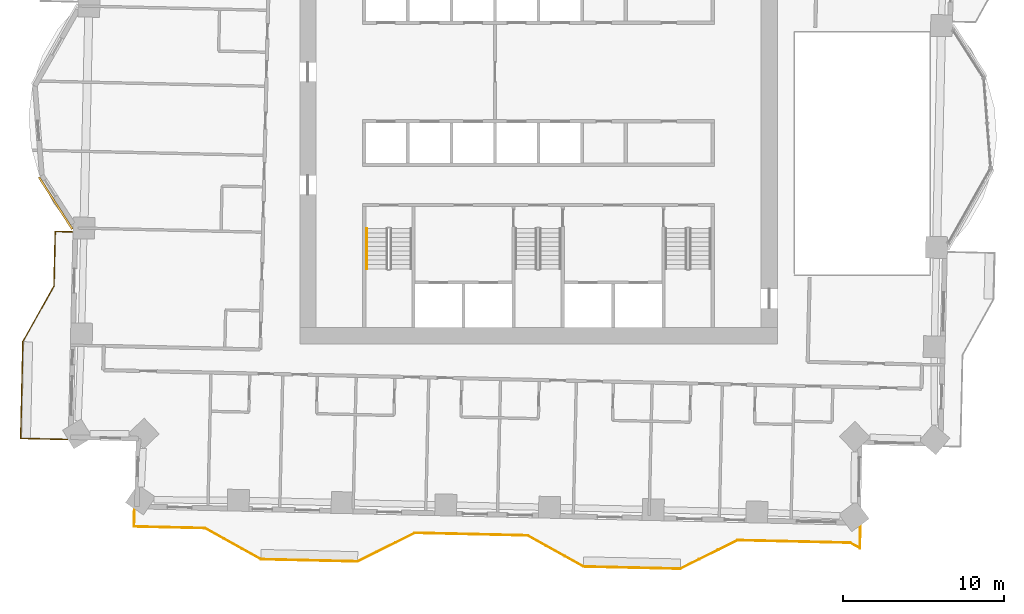
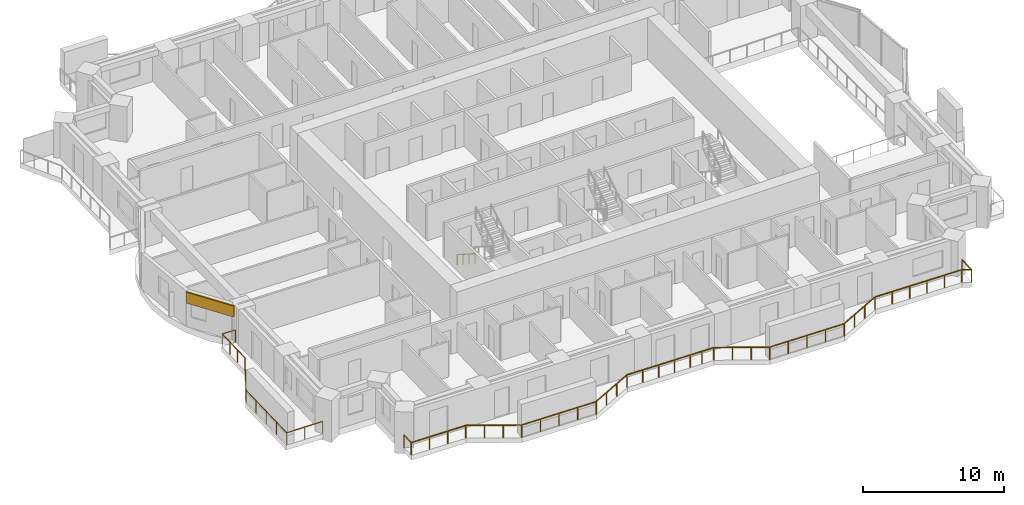
# One storey, part 13 of 16: 3 railings, 1 covering.
"""IFC4 building model written with IfcOpenShell, lengths in metres."""

from ifc_helpers import new_model, si_unit, direction, frame, frame_2d, origin, origin_2d, place, context, subcontext, project, spatial, rectangle, circle, extrude, material, layer, layer_set, type_object, element, save


model = new_model("IFC4")

# Units and contexts
model_context = context("Model", 3, precision=1e-05, world=origin(), true_north=direction((0.0, 1.0)))
body_context = subcontext(model_context, "Body", "Model", "MODEL_VIEW")
ifc_project = project(units=[si_unit("LENGTHUNIT", "METRE"), si_unit("AREAUNIT", "SQUARE_METRE"), si_unit("VOLUMEUNIT", "CUBIC_METRE"), si_unit("PLANEANGLEUNIT", "RADIAN"), si_unit("MASSUNIT", "GRAM", prefix="KILO")], contexts=[model_context])

# Site, building, storey
site_placement = place(None, origin())
site = spatial("IfcSite", under=ifc_project, at=site_placement, CompositionType="ELEMENT")
building_placement = place(site_placement, origin())
building = spatial("IfcBuilding", under=site, at=building_placement, Name="Mangrove Gate Tower", CompositionType="ELEMENT")
storey_placement = place(building_placement, frame((0.0, 0.0, 112.699951171875)))
storey = spatial("IfcBuildingStorey", under=building, at=storey_placement, Name="L28", CompositionType="ELEMENT", Elevation=112.699951171875)

# Railings
ifc_material_1 = material(Name="Stainless steel grade 316 with laminated glass infill", Category="steel")
railing_type_1 = type_object("IfcRailingType", Name="Balcony guard 1100", PredefinedType="GUARDRAIL", material=ifc_material_1)
railing_1_placement = place(storey_placement, frame((-28.89892578125, -4.85791015625, 0.0)))
element("IfcRailing", 1, at=railing_1_placement, inside=storey, type_object=railing_type_1, Name="GUARD L28 W2", PredefinedType="GUARDRAIL", context=body_context, shape_type="SweptSolid", body=[
    extrude(rectangle(XDim=0.048095703125, YDim=0.048095703125, at=origin_2d()), frame((0.0, 0.0, 1.076171875), z_axis=(-0.999744919731, 0.022585293253, 0.0), x_axis=(-0.022585293253, -0.999744919731, 0.0)), (0.0, 0.0, 1.0), 1.059326171875),
    extrude(rectangle(XDim=0.048095703125, YDim=0.048095703125, at=origin_2d()), frame((-1.05908203125, 0.02392578125, 1.076171875), z_axis=(-0.02278713509, -0.999740339525, 0.0), x_axis=(0.999740339525, -0.02278713509, 0.0)), (0.0, 0.0, 1.0), 3.375),
    extrude(rectangle(XDim=0.048095703125, YDim=0.048095703125, at=origin_2d()), frame((-1.135986328125, -3.35009765625, 1.076171875), z_axis=(-0.487307108654, -0.873230657876, 0.0), x_axis=(0.873230657876, -0.487307108654, 0.0)), (0.0, 0.0, 1.0), 3.958984375),
    extrude(rectangle(XDim=0.048095703125, YDim=0.048095703125, at=origin_2d()), frame((-3.065185546875, -6.80712890625, 1.076171875), z_axis=(-0.022665943652, -0.999743094499, 0.0), x_axis=(0.999743094499, -0.022665943652, 0.0)), (0.0, 0.0, 1.0), 5.99951171875),
    extrude(rectangle(XDim=0.048095703125, YDim=0.048095703125, at=origin_2d()), frame((-3.201171875, -12.80517578125, 1.076171875), z_axis=(0.999743392495, -0.022652795902, 0.0), x_axis=(0.022652795902, 0.999743392495, 0.0)), (0.0, 0.0, 1.0), 2.909912109375),
    extrude(rectangle(XDim=0.0419921875, YDim=0.0419921875, at=origin_2d()), origin(), (0.0, 0.0, 1.0), 1.052001953125),
    extrude(rectangle(XDim=0.0419921875, YDim=0.0419921875, at=origin_2d()), frame((-1.05908203125, 0.02392578125, 0.0)), (0.0, 0.0, 1.0), 1.052001953125),
    extrude(rectangle(XDim=0.0419921875, YDim=0.0419921875, at=origin_2d()), frame((-1.084716796875, -1.100830078125, 0.0)), (0.0, 0.0, 1.0), 1.052001953125),
    extrude(rectangle(XDim=0.0419921875, YDim=0.0419921875, at=origin_2d()), frame((-1.1103515625, -2.225341796875, 0.0)), (0.0, 0.0, 1.0), 1.052001953125),
    extrude(rectangle(XDim=0.0419921875, YDim=0.0419921875, at=origin_2d()), frame((-1.135986328125, -3.35009765625, 0.0)), (0.0, 0.0, 1.0), 1.052001953125),
    extrude(rectangle(XDim=0.0419921875, YDim=0.0419921875, at=origin_2d()), frame((-1.779052734375, -4.50244140625, 0.0)), (0.0, 0.0, 1.0), 1.052001953125),
    extrude(rectangle(XDim=0.0419921875, YDim=0.0419921875, at=origin_2d()), frame((-2.422119140625, -5.65478515625, 0.0)), (0.0, 0.0, 1.0), 1.052001953125),
    extrude(rectangle(XDim=0.0419921875, YDim=0.0419921875, at=origin_2d()), frame((-3.065185546875, -6.80712890625, 0.0)), (0.0, 0.0, 1.0), 1.052001953125),
    extrude(rectangle(XDim=0.0419921875, YDim=0.0419921875, at=origin_2d()), frame((-3.09912109375, -8.306640625, 0.0)), (0.0, 0.0, 1.0), 1.052001953125),
    extrude(rectangle(XDim=0.0419921875, YDim=0.0419921875, at=origin_2d()), frame((-3.13330078125, -9.80615234375, 0.0)), (0.0, 0.0, 1.0), 1.052001953125),
    extrude(rectangle(XDim=0.0419921875, YDim=0.0419921875, at=origin_2d()), frame((-3.167236328125, -11.3056640625, 0.0)), (0.0, 0.0, 1.0), 1.052001953125),
    extrude(rectangle(XDim=0.0419921875, YDim=0.0419921875, at=origin_2d()), frame((-3.201171875, -12.80517578125, 0.0)), (0.0, 0.0, 1.0), 1.052001953125),
    extrude(rectangle(XDim=0.0419921875, YDim=0.0419921875, at=origin_2d()), frame((-1.74658203125, -12.838134765625, 0.0)), (0.0, 0.0, 1.0), 1.052001953125),
    extrude(rectangle(XDim=0.0419921875, YDim=0.0419921875, at=origin_2d()), frame((-0.2919921875, -12.87109375, 0.0)), (0.0, 0.0, 1.0), 1.052001953125),
])
railing_2_placement = place(storey_placement, frame((-25.048095703125, -22.06396484375, 0.0)))
element("IfcRailing", 2, at=railing_2_placement, inside=storey, type_object=railing_type_1, Name="GUARD L28 S1", PredefinedType="GUARDRAIL", context=body_context, shape_type="SweptSolid", body=[
    extrude(rectangle(XDim=0.048095703125, YDim=0.048095703125, at=origin_2d()), frame((0.0, 0.0, 1.076171875), z_axis=(-0.022564497502, -0.999745389313, 0.0), x_axis=(0.999745389313, -0.022564497502, 0.0)), (0.0, 0.0, 1.0), 1.060302734375),
    extrude(rectangle(XDim=0.048095703125, YDim=0.048095703125, at=origin_2d()), frame((-0.02392578125, -1.06005859375, 1.076171875), z_axis=(0.999741692434, -0.022727701353, 0.0), x_axis=(0.022727701353, 0.999741692434, 0.0)), (0.0, 0.0, 1.0), 4.404296875),
    extrude(rectangle(XDim=0.048095703125, YDim=0.048095703125, at=origin_2d()), frame((4.379150390625, -1.16015625, 1.076171875), z_axis=(0.87325689943, -0.48726008209, 0.0), x_axis=(0.48726008209, 0.87325689943, 0.0)), (0.0, 0.0, 1.0), 3.958740234375),
    extrude(rectangle(XDim=0.048095703125, YDim=0.048095703125, at=origin_2d()), frame((7.836181640625, -3.089111328125, 1.076171875), z_axis=(0.999743073592, -0.022666865795, 0.0), x_axis=(0.022666865795, 0.999743073592, 0.0)), (0.0, 0.0, 1.0), 5.999267578125),
    extrude(rectangle(XDim=0.048095703125, YDim=0.048095703125, at=origin_2d()), frame((13.833984375, -3.22509765625, 1.076171875), z_axis=(0.894525821107, 0.447016280881, 0.0), x_axis=(-0.447016280881, 0.894525821107, 0.0)), (0.0, 0.0, 1.0), 3.959716796875),
    extrude(rectangle(XDim=0.048095703125, YDim=0.048095703125, at=origin_2d()), frame((17.3759765625, -1.455078125, 1.076171875), z_axis=(0.999745725993, -0.022549575565, 0.0), x_axis=(0.022549575565, 0.999745725993, 0.0)), (0.0, 0.0, 1.0), 5.099365234375),
    extrude(rectangle(XDim=0.048095703125, YDim=0.048095703125, at=origin_2d()), frame((22.47412109375, -1.570068359375, 1.076171875), z_axis=(0.999732601886, -0.023124115695, 0.0), x_axis=(0.023124115695, 0.999732601886, 0.0)), (0.0, 0.0, 1.0), 1.900390625),
    extrude(rectangle(XDim=0.048095703125, YDim=0.048095703125, at=origin_2d()), frame((24.3740234375, -1.614013671875, 1.076171875), z_axis=(0.873361856081, -0.487071933437, 0.0), x_axis=(0.487071933437, 0.873361856081, 0.0)), (0.0, 0.0, 1.0), 3.958251953125),
    extrude(rectangle(XDim=0.048095703125, YDim=0.048095703125, at=origin_2d()), frame((27.8310546875, -3.5419921875, 1.076171875), z_axis=(0.999739392852, -0.022828630714, 0.0), x_axis=(0.022828630714, 0.999739392852, 0.0)), (0.0, 0.0, 1.0), 5.99951171875),
    extrude(rectangle(XDim=0.048095703125, YDim=0.048095703125, at=origin_2d()), frame((33.8291015625, -3.678955078125, 1.076171875), z_axis=(0.894377854182, 0.447312255532, 0.0), x_axis=(-0.447312255532, 0.894377854182, 0.0)), (0.0, 0.0, 1.0), 3.959228515625),
    extrude(rectangle(XDim=0.048095703125, YDim=0.048095703125, at=origin_2d()), frame((37.3701171875, -1.907958984375, 1.076171875), z_axis=(0.999741475346, -0.022737248567, 0.0), x_axis=(0.022737248567, 0.999741475346, 0.0)), (0.0, 0.0, 1.0), 7.000732421875),
    extrude(rectangle(XDim=0.048095703125, YDim=0.048095703125, at=origin_2d()), frame((44.369140625, -2.067138671875, 1.076171875), z_axis=(0.872956919177, -0.487797311658, 0.0), x_axis=(0.487797311658, 0.872956919177, 0.0)), (0.0, 0.0, 1.0), 0.6826171875),
    extrude(rectangle(XDim=0.048095703125, YDim=0.048095703125, at=origin_2d()), frame((44.965087890625, -2.400146484375, 1.076171875), z_axis=(0.022476175804, 0.999747378852, 0.0), x_axis=(-0.999747378852, 0.022476175804, 0.0)), (0.0, 0.0, 1.0), 1.37939453125),
    extrude(rectangle(XDim=0.0419921875, YDim=0.0419921875, at=origin_2d()), origin(), (0.0, 0.0, 1.0), 1.052001953125),
    extrude(rectangle(XDim=0.0419921875, YDim=0.0419921875, at=origin_2d()), frame((-0.02392578125, -1.06005859375, 0.0)), (0.0, 0.0, 1.0), 1.052001953125),
    extrude(rectangle(XDim=0.0419921875, YDim=0.0419921875, at=origin_2d()), frame((1.44384765625, -1.093505859375, 0.0)), (0.0, 0.0, 1.0), 1.052001953125),
    extrude(rectangle(XDim=0.0419921875, YDim=0.0419921875, at=origin_2d()), frame((2.911376953125, -1.126708984375, 0.0)), (0.0, 0.0, 1.0), 1.052001953125),
    extrude(rectangle(XDim=0.0419921875, YDim=0.0419921875, at=origin_2d()), frame((4.379150390625, -1.16015625, 0.0)), (0.0, 0.0, 1.0), 1.052001953125),
    extrude(rectangle(XDim=0.0419921875, YDim=0.0419921875, at=origin_2d()), frame((5.531494140625, -1.80322265625, 0.0)), (0.0, 0.0, 1.0), 1.052001953125),
    extrude(rectangle(XDim=0.0419921875, YDim=0.0419921875, at=origin_2d()), frame((6.683837890625, -2.446044921875, 0.0)), (0.0, 0.0, 1.0), 1.052001953125),
    extrude(rectangle(XDim=0.0419921875, YDim=0.0419921875, at=origin_2d()), frame((7.836181640625, -3.089111328125, 0.0)), (0.0, 0.0, 1.0), 1.052001953125),
    extrude(rectangle(XDim=0.0419921875, YDim=0.0419921875, at=origin_2d()), frame((9.335693359375, -3.123046875, 0.0)), (0.0, 0.0, 1.0), 1.052001953125),
    extrude(rectangle(XDim=0.0419921875, YDim=0.0419921875, at=origin_2d()), frame((10.8349609375, -3.1572265625, 0.0)), (0.0, 0.0, 1.0), 1.052001953125),
    extrude(rectangle(XDim=0.0419921875, YDim=0.0419921875, at=origin_2d()), frame((12.33447265625, -3.191162109375, 0.0)), (0.0, 0.0, 1.0), 1.052001953125),
    extrude(rectangle(XDim=0.0419921875, YDim=0.0419921875, at=origin_2d()), frame((13.833984375, -3.22509765625, 0.0)), (0.0, 0.0, 1.0), 1.052001953125),
    extrude(rectangle(XDim=0.0419921875, YDim=0.0419921875, at=origin_2d()), frame((15.0146484375, -2.635009765625, 0.0)), (0.0, 0.0, 1.0), 1.052001953125),
    extrude(rectangle(XDim=0.0419921875, YDim=0.0419921875, at=origin_2d()), frame((16.1953125, -2.045166015625, 0.0)), (0.0, 0.0, 1.0), 1.052001953125),
    extrude(rectangle(XDim=0.0419921875, YDim=0.0419921875, at=origin_2d()), frame((17.3759765625, -1.455078125, 0.0)), (0.0, 0.0, 1.0), 1.052001953125),
    extrude(rectangle(XDim=0.0419921875, YDim=0.0419921875, at=origin_2d()), frame((18.650390625, -1.48388671875, 0.0)), (0.0, 0.0, 1.0), 1.052001953125),
    extrude(rectangle(XDim=0.0419921875, YDim=0.0419921875, at=origin_2d()), frame((19.925048828125, -1.5126953125, 0.0)), (0.0, 0.0, 1.0), 1.052001953125),
    extrude(rectangle(XDim=0.0419921875, YDim=0.0419921875, at=origin_2d()), frame((21.19970703125, -1.541259765625, 0.0)), (0.0, 0.0, 1.0), 1.052001953125),
    extrude(rectangle(XDim=0.0419921875, YDim=0.0419921875, at=origin_2d()), frame((22.47412109375, -1.570068359375, 0.0)), (0.0, 0.0, 1.0), 1.052001953125),
    extrude(rectangle(XDim=0.0419921875, YDim=0.0419921875, at=origin_2d()), frame((23.424072265625, -1.592041015625, 0.0)), (0.0, 0.0, 1.0), 1.052001953125),
    extrude(rectangle(XDim=0.0419921875, YDim=0.0419921875, at=origin_2d()), frame((24.3740234375, -1.614013671875, 0.0)), (0.0, 0.0, 1.0), 1.052001953125),
    extrude(rectangle(XDim=0.0419921875, YDim=0.0419921875, at=origin_2d()), frame((25.5263671875, -2.256591796875, 0.0)), (0.0, 0.0, 1.0), 1.052001953125),
    extrude(rectangle(XDim=0.0419921875, YDim=0.0419921875, at=origin_2d()), frame((26.6787109375, -2.8994140625, 0.0)), (0.0, 0.0, 1.0), 1.052001953125),
    extrude(rectangle(XDim=0.0419921875, YDim=0.0419921875, at=origin_2d()), frame((27.8310546875, -3.5419921875, 0.0)), (0.0, 0.0, 1.0), 1.052001953125),
    extrude(rectangle(XDim=0.0419921875, YDim=0.0419921875, at=origin_2d()), frame((29.33056640625, -3.576171875, 0.0)), (0.0, 0.0, 1.0), 1.052001953125),
    extrude(rectangle(XDim=0.0419921875, YDim=0.0419921875, at=origin_2d()), frame((30.830078125, -3.6103515625, 0.0)), (0.0, 0.0, 1.0), 1.052001953125),
    extrude(rectangle(XDim=0.0419921875, YDim=0.0419921875, at=origin_2d()), frame((32.32958984375, -3.644775390625, 0.0)), (0.0, 0.0, 1.0), 1.052001953125),
    extrude(rectangle(XDim=0.0419921875, YDim=0.0419921875, at=origin_2d()), frame((33.8291015625, -3.678955078125, 0.0)), (0.0, 0.0, 1.0), 1.052001953125),
    extrude(rectangle(XDim=0.0419921875, YDim=0.0419921875, at=origin_2d()), frame((35.009521484375, -3.088623046875, 0.0)), (0.0, 0.0, 1.0), 1.052001953125),
    extrude(rectangle(XDim=0.0419921875, YDim=0.0419921875, at=origin_2d()), frame((36.189697265625, -2.498291015625, 0.0)), (0.0, 0.0, 1.0), 1.052001953125),
    extrude(rectangle(XDim=0.0419921875, YDim=0.0419921875, at=origin_2d()), frame((37.3701171875, -1.907958984375, 0.0)), (0.0, 0.0, 1.0), 1.052001953125),
    extrude(rectangle(XDim=0.0419921875, YDim=0.0419921875, at=origin_2d()), frame((38.77001953125, -1.939697265625, 0.0)), (0.0, 0.0, 1.0), 1.052001953125),
    extrude(rectangle(XDim=0.0419921875, YDim=0.0419921875, at=origin_2d()), frame((40.169677734375, -1.9716796875, 0.0)), (0.0, 0.0, 1.0), 1.052001953125),
    extrude(rectangle(XDim=0.0419921875, YDim=0.0419921875, at=origin_2d()), frame((41.569580078125, -2.00341796875, 0.0)), (0.0, 0.0, 1.0), 1.052001953125),
    extrude(rectangle(XDim=0.0419921875, YDim=0.0419921875, at=origin_2d()), frame((42.96923828125, -2.035400390625, 0.0)), (0.0, 0.0, 1.0), 1.052001953125),
    extrude(rectangle(XDim=0.0419921875, YDim=0.0419921875, at=origin_2d()), frame((44.369140625, -2.067138671875, 0.0)), (0.0, 0.0, 1.0), 1.052001953125),
    extrude(rectangle(XDim=0.0419921875, YDim=0.0419921875, at=origin_2d()), frame((44.965087890625, -2.400146484375, 0.0)), (0.0, 0.0, 1.0), 1.052001953125),
    extrude(rectangle(XDim=0.0419921875, YDim=0.0419921875, at=origin_2d()), frame((44.99609375, -1.02099609375, 0.0)), (0.0, 0.0, 1.0), 1.052001953125),
])
ifc_material_2 = material(Name="Stainless steel 316", Category="steel")
railing_type_2 = type_object("IfcRailingType", Name="Core stair handrail 900", PredefinedType="HANDRAIL", material=ifc_material_2)
railing_3_placement = place(storey_placement, frame((-10.64990234375, -4.64990234375, 0.179931640625)))
element("IfcRailing", 3, at=railing_3_placement, inside=storey, type_object=railing_type_2, Name="L28 ST1 stair handrail 1", PredefinedType="HANDRAIL", context=body_context, shape_type="SweptSolid", body=[
    extrude(circle(Radius=0.02392578125, at=origin_2d()), frame((0.0, 0.0, 0.8759765625), z_axis=(0.0, -0.841162588446, 0.540782303519), x_axis=(1.0, 0.0, 0.0)), (0.0, 0.0, 1.0), 2.995849609375),
    extrude(circle(Radius=0.02099609375, at=origin_2d()), origin(), (0.0, 0.0, 1.0), 0.851806640625),
    extrude(circle(Radius=0.02099609375, at=origin_2d()), frame((0.0, -0.840087890625, 0.5400390625)), (0.0, 0.0, 1.0), 0.851806640625),
    extrude(circle(Radius=0.02099609375, at=origin_2d()), frame((0.0, -1.679931640625, 1.080078125)), (0.0, 0.0, 1.0), 0.851806640625),
    extrude(circle(Radius=0.02099609375, at=origin_2d()), frame((0.0, -2.52001953125, 1.6201171875)), (0.0, 0.0, 1.0), 0.851806640625),
])

# Covering
ifc_material_3 = material(Name="Limestone", Category="masonry")
ifc_layer_1 = layer(ifc_material_3, 0.0400390625, Name="Limestone cladding")
ifc_material_4 = material(Name="Stainless steel anchors and cavity", Category="steel")
ifc_layer_2 = layer(ifc_material_4, 0.080078125, Name="Fixing cavity")
ifc_layer_set = layer_set([ifc_layer_1, ifc_layer_2], Name="Joint fascia cladding 120")
covering_type = type_object("IfcCoveringType", Name="Joint fascia cladding 120", PredefinedType="CLADDING", material=ifc_layer_set)
covering_placement = place(storey_placement, frame((-30.962890625, -1.47412109375, 2.10009765625), z_axis=(0.0, 0.0, 1.0), x_axis=(0.540486138148, -0.841352919095, 0.0)))
element("IfcCovering", 4, at=covering_placement, inside=storey, type_object=covering_type, Name="STONE FASCIA L28 W9.L2", PredefinedType="CLADDING", context=body_context, shape_type="SweptSolid", body=[
    extrude(rectangle(XDim=3.818603515625, YDim=0.1201171875, at=frame_2d((1.9091796875, 0.0))), origin(), (0.0, 0.0, 1.0), 0.949951171875),
])

save(model, "model.ifc")
